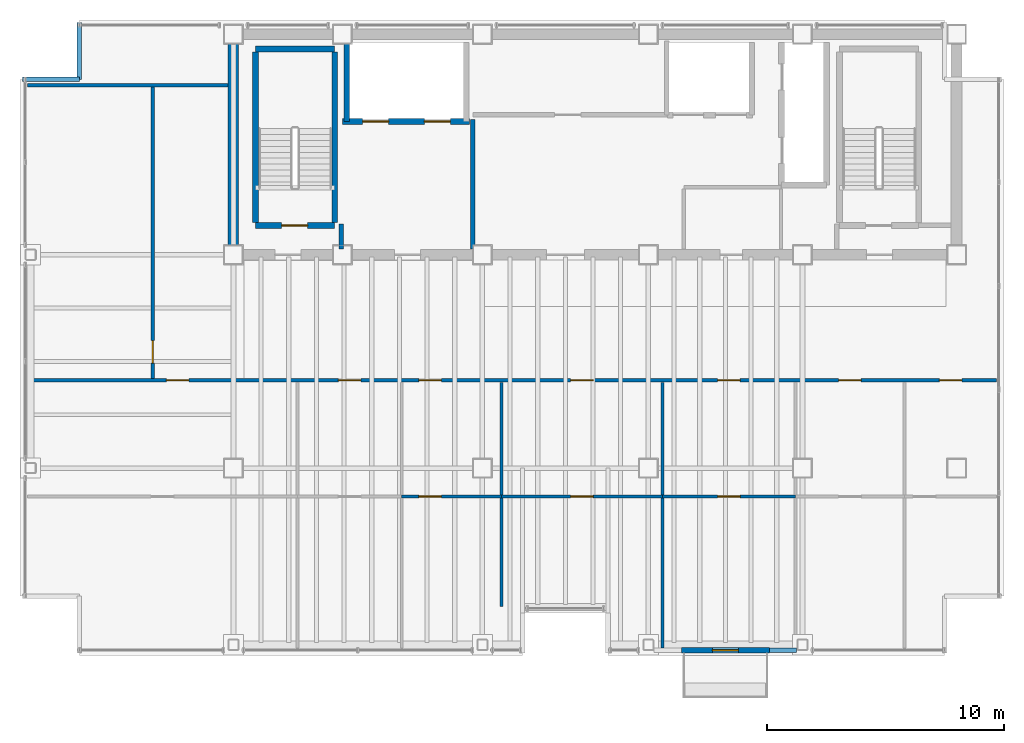
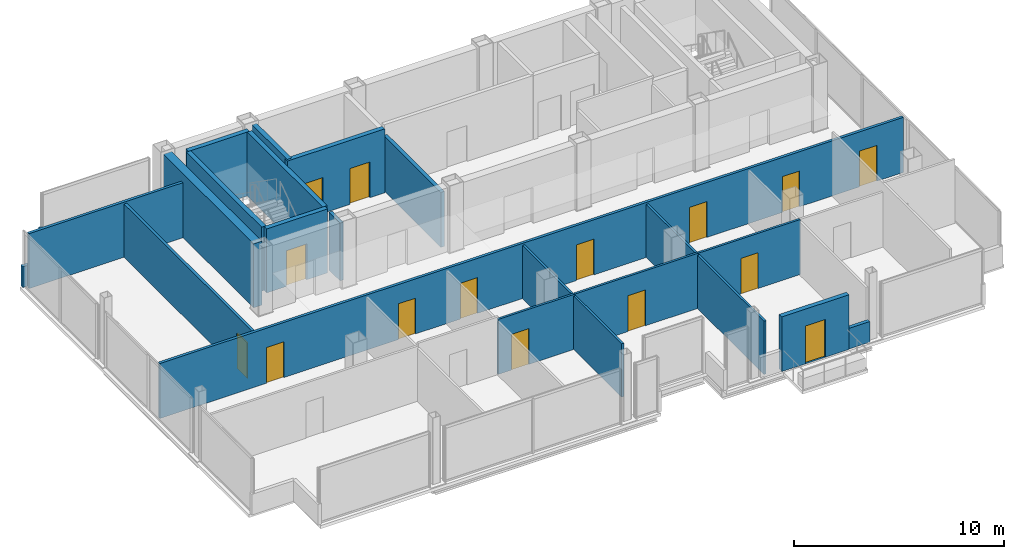
# One storey, part 14 of 17: 21 walls, 15 doors, 15 openings.
"""IFC4 building model written with IfcOpenShell, lengths in metres."""

from ifc_helpers import new_model, si_unit, direction, frame, frame_2d, origin, place, context, subcontext, project, spatial, rectangle, extrude, material, layer, layer_set, type_object, element, fill, save


model = new_model("IFC4")

# Units and contexts
model_context = context("Model", 3, precision=1e-05, world=origin(), true_north=direction((0.0, 1.0)))
body_context = subcontext(model_context, "Body", "Model", "MODEL_VIEW")
ifc_project = project(units=[si_unit("LENGTHUNIT", "METRE"), si_unit("AREAUNIT", "SQUARE_METRE"), si_unit("VOLUMEUNIT", "CUBIC_METRE"), si_unit("PLANEANGLEUNIT", "RADIAN"), si_unit("MASSUNIT", "GRAM", prefix="KILO")], contexts=[model_context])

# Site, building, storey
site_placement = place(None, origin())
site = spatial("IfcSite", under=ifc_project, at=site_placement, CompositionType="ELEMENT")
building_placement = place(site_placement, origin())
building = spatial("IfcBuilding", under=site, at=building_placement, Name="Noeulbin Bourse Tower", CompositionType="ELEMENT")
storey_placement = place(building_placement, frame((0.0, 0.0, 250.10009765625)))
storey = spatial("IfcBuildingStorey", under=building, at=storey_placement, Name="L62", CompositionType="ELEMENT", Elevation=250.10009765625)

# Wall
ifc_material_1 = material(Name="Concrete C50/60", Category="concrete")
ifc_layer_1 = layer(ifc_material_1, 0.449951171875)
ifc_layer_set_1 = layer_set([ifc_layer_1], Name="Concrete C50/60")
wall_type_1 = type_object("IfcWallType", Name="WAL-CORE-450", PredefinedType="SHEAR", material=ifc_layer_set_1)
wall_1_placement = place(storey_placement, frame((13.5, 29.35009765625, 0.0), z_axis=(0.0, 0.0, 1.0), x_axis=(0.0, 1.0, 0.0)))
element("IfcWall", 1, at=wall_1_placement, inside=storey, type_object=wall_type_1, Name="Rear Core West Shear Wall L62", PredefinedType="SHEAR", context=body_context, shape_type="SweptSolid", body=[
    extrude(rectangle(XDim=8.599853515625, YDim=0.449951171875, at=frame_2d((4.2998046875, 0.0))), origin(), (0.0, 0.0, 1.0), 3.719970703125),
])

# Wall, opening, door
ifc_material_2 = material(Name="Precast Concrete C40/50", Category="concrete")
ifc_layer_2 = layer(ifc_material_2, 0.25)
ifc_layer_set_2 = layer_set([ifc_layer_2], Name="Precast Concrete C40/50")
wall_type_2 = type_object("IfcWallType", Name="WAL-EXT-250", PredefinedType="STANDARD", material=ifc_layer_set_2)
wall_2_placement = place(storey_placement, frame((32.39990234375, 12.320068359375, 0.0), z_axis=(0.0, 0.0, 1.0), x_axis=(1.0, 0.0, 0.0)))
wall_2 = element("IfcWall", 2, at=wall_2_placement, inside=storey, type_object=wall_type_2, Name="Balcony Threshold Wall L62", PredefinedType="STANDARD", context=body_context, shape_type="SweptSolid", body=[
    extrude(rectangle(XDim=3.7001953125, YDim=0.25, at=frame_2d((1.85009765625, 0.0))), origin(), (0.0, 0.0, 1.0), 3.179931640625),
])
opening_1_placement = place(wall_2_placement, frame((1.300048828125, 0.0, 0.0)))
opening_1 = element("IfcOpeningElement", 3, at=opening_1_placement, cuts=wall_2, Name="Opening BD-11", PredefinedType="OPENING", context=body_context, shape_type="SweptSolid", body=[
    extrude(rectangle(XDim=1.10009765625, YDim=2.199951171875, at=frame_2d((0.550048828125, 1.10009765625))), frame((0.0, 0.135009765625, 0.0), z_axis=(0.0, -1.0, 0.0), x_axis=(1.0, 0.0, 0.0)), (0.0, 0.0, 1.0), 0.27001953125),
])
ifc_material_3 = material(Name="Thermally Broken Aluminium Framed Glass", Category="aluminium")
door_type_1 = type_object("IfcDoorType", Name="DR-BAL-1100", OperationType="SINGLE_SWING_LEFT", PredefinedType="DOOR", material=ifc_material_3)
door_1_placement = place(opening_1_placement, origin())
door_1 = element("IfcDoor", 4, at=door_1_placement, inside=storey, type_object=door_type_1, Name="Tree-Balcony Access Door BD-L62", OperationType="SINGLE_SWING_RIGHT", OverallHeight=2.199951171875, OverallWidth=1.10009765625, PredefinedType="DOOR", context=body_context, shape_type="SweptSolid", body=[
    extrude(rectangle(XDim=1.10009765625, YDim=2.199951171875, at=frame_2d((0.550048828125, 1.10009765625))), frame((0.0, 0.02490234375, 0.0), z_axis=(0.0, -1.0, 0.0), x_axis=(1.0, 0.0, 0.0)), (0.0, 0.0, 1.0), 0.050048828125),
])
fill(opening_1, door_1)

# Walls
ifc_material_4 = material(Name="Concrete C40/50", Category="concrete")
ifc_layer_3 = layer(ifc_material_4, 0.199951171875)
ifc_layer_set_3 = layer_set([ifc_layer_3], Name="Concrete C40/50")
wall_type_3 = type_object("IfcWallType", Name="WAL-FIRE-200", PredefinedType="STANDARD", material=ifc_layer_set_3)
wall_3_placement = place(storey_placement, frame((18.050048828125, 29.235107421875, 0.0), z_axis=(0.0, 0.0, 1.0), x_axis=(0.0, 1.0, 0.0)))
element("IfcWall", 5, at=wall_3_placement, inside=storey, type_object=wall_type_3, Name="Interior Partition Wall L62-13", PredefinedType="STANDARD", context=body_context, shape_type="SweptSolid", body=[
    extrude(rectangle(XDim=1.06494140625, YDim=0.199951171875, at=frame_2d((0.532470703125, 0.0))), origin(), (0.0, 0.0, 1.0), 3.349853515625),
])
wall_4_placement = place(storey_placement, frame((23.60009765625, 29.235107421875, 0.0), z_axis=(0.0, 0.0, 1.0), x_axis=(0.0, 1.0, 0.0)))
element("IfcWall", 6, at=wall_4_placement, inside=storey, type_object=wall_type_3, Name="Interior Partition Wall L62-15", PredefinedType="STANDARD", context=body_context, shape_type="SweptSolid", body=[
    extrude(rectangle(XDim=5.46484375, YDim=0.199951171875, at=frame_2d((2.732421875, 0.0))), origin(), (0.0, 0.0, 1.0), 3.199951171875),
])
ifc_layer_4 = layer(ifc_material_4, 0.199951171875)
ifc_layer_set_4 = layer_set([ifc_layer_4], Name="Concrete C40/50")
wall_type_4 = type_object("IfcWallType", Name="WAL-PAR-200", PredefinedType="PARAPET", material=ifc_layer_set_4)
wall_5_placement = place(storey_placement, frame((36.10009765625, 12.320068359375, 0.0), z_axis=(0.0, 0.0, 1.0), x_axis=(1.0, 0.0, 0.0)))
element("IfcWall", 7, at=wall_5_placement, inside=storey, type_object=wall_type_4, Name="Perimeter Pier Spandrel Parapet L62-S2", PredefinedType="PARAPET", context=body_context, shape_type="SweptSolid", body=[
    extrude(rectangle(XDim=1.15478515625, YDim=0.199951171875, at=frame_2d((0.577392578125, 0.0))), origin(), (0.0, 0.0, 1.0), 1.199951171875),
])
wall_6_placement = place(storey_placement, frame((4.60009765625, 36.39990234375, 0.0), z_axis=(0.0, 0.0, 1.0), x_axis=(1.0, 0.0, 0.0)))
element("IfcWall", 8, at=wall_6_placement, inside=storey, type_object=wall_type_4, Name="Corner Notch Parapet L62-NW1", PredefinedType="PARAPET", context=body_context, shape_type="SweptSolid", body=[
    extrude(rectangle(XDim=2.39990234375, YDim=0.199951171875, at=frame_2d((1.199951171875, 0.0))), origin(), (0.0, 0.0, 1.0), 1.199951171875),
])
wall_7_placement = place(storey_placement, frame((7.0, 36.39990234375, 0.0), z_axis=(0.0, 0.0, 1.0), x_axis=(0.0, 1.0, 0.0)))
element("IfcWall", 9, at=wall_7_placement, inside=storey, type_object=wall_type_4, Name="Corner Notch Parapet L62-NW2", PredefinedType="PARAPET", context=body_context, shape_type="SweptSolid", body=[
    extrude(rectangle(XDim=2.400146484375, YDim=0.199951171875, at=frame_2d((1.2001953125, 0.0))), origin(), (0.0, 0.0, 1.0), 1.199951171875),
])

# Wall, opening, door
ifc_material_5 = material(Name="Steel Stud Gypsum Partition", Category="steel")
ifc_layer_5 = layer(ifc_material_5, 0.1201171875)
ifc_layer_set_5 = layer_set([ifc_layer_5], Name="Steel Stud Gypsum Partition")
wall_type_5 = type_object("IfcWallType", Name="WAL-PRT-120", PredefinedType="PARTITIONING", material=ifc_layer_set_5)
wall_8_placement = place(storey_placement, frame((20.60009765625, 18.800048828125, 0.0), z_axis=(0.0, 0.0, 1.0), x_axis=(1.0, 0.0, 0.0)))
wall_8 = element("IfcWall", 10, at=wall_8_placement, inside=storey, type_object=wall_type_5, Name="Interior Partition Wall L62-08", PredefinedType="PARTITIONING", context=body_context, shape_type="SweptSolid", body=[
    extrude(rectangle(XDim=4.199951171875, YDim=0.1201171875, at=frame_2d((2.10009765625, 0.0))), origin(), (0.0, 0.0, 1.0), 3.199951171875),
])
opening_2_placement = place(wall_8_placement, frame((0.72509765625, 0.0, 0.0)))
opening_2 = element("IfcOpeningElement", 11, at=opening_2_placement, cuts=wall_8, Name="Opening ID-09", PredefinedType="OPENING", context=body_context, shape_type="SweptSolid", body=[
    extrude(rectangle(XDim=0.949951171875, YDim=2.080078125, at=frame_2d((0.47509765625, 1.0400390625))), frame((0.0, 0.070068359375, 0.0), z_axis=(0.0, -1.0, 0.0), x_axis=(1.0, 0.0, 0.0)), (0.0, 0.0, 1.0), 0.14013671875),
])
ifc_material_6 = material(Name="Acoustic Solid-Core Timber", Category="wood")
door_type_2 = type_object("IfcDoorType", Name="DR-SINGLE-950", OperationType="SINGLE_SWING_LEFT", PredefinedType="DOOR", material=ifc_material_6)
door_2_placement = place(opening_2_placement, origin())
door_2 = element("IfcDoor", 12, at=door_2_placement, inside=storey, type_object=door_type_2, Name="Interior Door L62-11", OperationType="SINGLE_SWING_LEFT", OverallHeight=2.080078125, OverallWidth=0.949951171875, PredefinedType="DOOR", context=body_context, shape_type="SweptSolid", body=[
    extrude(rectangle(XDim=0.949951171875, YDim=2.080078125, at=frame_2d((0.47509765625, 1.0400390625))), frame((0.0, 0.02490234375, 0.0), z_axis=(0.0, -1.0, 0.0), x_axis=(1.0, 0.0, 0.0)), (0.0, 0.0, 1.0), 0.050048828125),
])
fill(opening_2, door_2)

wall_9_placement = place(storey_placement, frame((24.800048828125, 18.800048828125, 0.0), z_axis=(0.0, 0.0, 1.0), x_axis=(1.0, 0.0, 0.0)))
wall_9 = element("IfcWall", 13, at=wall_9_placement, inside=storey, type_object=wall_type_5, Name="Interior Partition Wall L62-09", PredefinedType="PARTITIONING", context=body_context, shape_type="SweptSolid", body=[
    extrude(rectangle(XDim=6.800048828125, YDim=0.1201171875, at=frame_2d((3.39990234375, 0.0))), origin(), (0.0, 0.0, 1.0), 3.199951171875),
])
opening_3_placement = place(wall_9_placement, frame((2.925048828125, 0.0, 0.0)))
opening_3 = element("IfcOpeningElement", 14, at=opening_3_placement, cuts=wall_9, Name="Opening ID-09", PredefinedType="OPENING", context=body_context, shape_type="SweptSolid", body=[
    extrude(rectangle(XDim=0.949951171875, YDim=2.080078125, at=frame_2d((0.47509765625, 1.0400390625))), frame((0.0, 0.070068359375, 0.0), z_axis=(0.0, -1.0, 0.0), x_axis=(1.0, 0.0, 0.0)), (0.0, 0.0, 1.0), 0.14013671875),
])
door_3_placement = place(opening_3_placement, origin())
door_3 = element("IfcDoor", 15, at=door_3_placement, inside=storey, type_object=door_type_2, Name="Interior Door L62-13", OperationType="SINGLE_SWING_LEFT", OverallHeight=2.080078125, OverallWidth=0.949951171875, PredefinedType="DOOR", context=body_context, shape_type="SweptSolid", body=[
    extrude(rectangle(XDim=0.949951171875, YDim=2.080078125, at=frame_2d((0.47509765625, 1.0400390625))), frame((0.0, 0.02490234375, 0.0), z_axis=(0.0, -1.0, 0.0), x_axis=(1.0, 0.0, 0.0)), (0.0, 0.0, 1.0), 0.050048828125),
])
fill(opening_3, door_3)

wall_10_placement = place(storey_placement, frame((31.60009765625, 18.800048828125, 0.0), z_axis=(0.0, 0.0, 1.0), x_axis=(1.0, 0.0, 0.0)))
wall_10 = element("IfcWall", 16, at=wall_10_placement, inside=storey, type_object=wall_type_5, Name="Interior Partition Wall L62-10", PredefinedType="PARTITIONING", context=body_context, shape_type="SweptSolid", body=[
    extrude(rectangle(XDim=5.599853515625, YDim=0.1201171875, at=frame_2d((2.7998046875, 0.0))), origin(), (0.0, 0.0, 1.0), 3.199951171875),
])
opening_4_placement = place(wall_10_placement, frame((2.324951171875, 0.0, 0.0)))
opening_4 = element("IfcOpeningElement", 17, at=opening_4_placement, cuts=wall_10, Name="Opening ID-09", PredefinedType="OPENING", context=body_context, shape_type="SweptSolid", body=[
    extrude(rectangle(XDim=0.949951171875, YDim=2.080078125, at=frame_2d((0.47509765625, 1.0400390625))), frame((0.0, 0.070068359375, 0.0), z_axis=(0.0, -1.0, 0.0), x_axis=(1.0, 0.0, 0.0)), (0.0, 0.0, 1.0), 0.14013671875),
])
door_4_placement = place(opening_4_placement, origin())
door_4 = element("IfcDoor", 18, at=door_4_placement, inside=storey, type_object=door_type_2, Name="Interior Door L62-15", OperationType="SINGLE_SWING_LEFT", OverallHeight=2.080078125, OverallWidth=0.949951171875, PredefinedType="DOOR", context=body_context, shape_type="SweptSolid", body=[
    extrude(rectangle(XDim=0.949951171875, YDim=2.080078125, at=frame_2d((0.47509765625, 1.0400390625))), frame((0.0, 0.02490234375, 0.0), z_axis=(0.0, -1.0, 0.0), x_axis=(1.0, 0.0, 0.0)), (0.0, 0.0, 1.0), 0.050048828125),
])
fill(opening_4, door_4)

# Walls
wall_11_placement = place(storey_placement, frame((24.800048828125, 14.169921875, 0.0), z_axis=(0.0, 0.0, 1.0), x_axis=(0.0, 1.0, 0.0)))
element("IfcWall", 19, at=wall_11_placement, inside=storey, type_object=wall_type_5, Name="Interior Partition Wall L62-21", PredefinedType="PARTITIONING", context=body_context, shape_type="SweptSolid", body=[
    extrude(rectangle(XDim=9.445068359375, YDim=0.1201171875, at=frame_2d((4.72265625, 0.0))), origin(), (0.0, 0.0, 1.0), 3.099853515625),
])
wall_12_placement = place(storey_placement, frame((31.60009765625, 12.409912109375, 0.0), z_axis=(0.0, 0.0, 1.0), x_axis=(0.0, 1.0, 0.0)))
element("IfcWall", 20, at=wall_12_placement, inside=storey, type_object=wall_type_5, Name="Interior Partition Wall L62-22", PredefinedType="PARTITIONING", context=body_context, shape_type="SweptSolid", body=[
    extrude(rectangle(XDim=11.205078125, YDim=0.1201171875, at=frame_2d((5.6025390625, 0.0))), origin(), (0.0, 0.0, 1.0), 3.099853515625),
])

# Wall, openings, doors
ifc_material_7 = material(Name="Steel Stud Acoustic Gypsum Board", Category="steel")
ifc_layer_6 = layer(ifc_material_7, 0.14990234375)
ifc_layer_set_6 = layer_set([ifc_layer_6], Name="Steel Stud Acoustic Gypsum Board")
wall_type_6 = type_object("IfcWallType", Name="WAL-PRT-150", PredefinedType="PARTITIONING", material=ifc_layer_set_6)
wall_13_placement = place(storey_placement, frame((4.81005859375, 23.699951171875, 0.0), z_axis=(0.0, 0.0, 1.0), x_axis=(1.0, 0.0, 0.0)))
wall_13 = element("IfcWall", 21, at=wall_13_placement, inside=storey, type_object=wall_type_6, Name="Interior Partition Wall L62-04", PredefinedType="PARTITIONING", context=body_context, shape_type="SweptSolid", body=[
    extrude(rectangle(XDim=40.8798828125, YDim=0.14990234375, at=frame_2d((20.43994140625, 0.0))), origin(), (0.0, 0.0, 1.0), 3.199951171875),
])
opening_5_placement = place(wall_13_placement, frame((5.864990234375, 0.0, 0.0)))
opening_5 = element("IfcOpeningElement", 22, at=opening_5_placement, cuts=wall_13, Name="Opening ID-09", PredefinedType="OPENING", context=body_context, shape_type="SweptSolid", body=[
    extrude(rectangle(XDim=0.949951171875, YDim=2.080078125, at=frame_2d((0.47509765625, 1.0400390625))), frame((0.0, 0.0849609375, 0.0), z_axis=(0.0, -1.0, 0.0), x_axis=(1.0, 0.0, 0.0)), (0.0, 0.0, 1.0), 0.169921875),
])
opening_6_placement = place(wall_13_placement, frame((13.114990234375, 0.0, 0.0)))
opening_6 = element("IfcOpeningElement", 23, at=opening_6_placement, cuts=wall_13, Name="Opening ID-09", PredefinedType="OPENING", context=body_context, shape_type="SweptSolid", body=[
    extrude(rectangle(XDim=0.949951171875, YDim=2.080078125, at=frame_2d((0.47509765625, 1.0400390625))), frame((0.0, 0.0849609375, 0.0), z_axis=(0.0, -1.0, 0.0), x_axis=(1.0, 0.0, 0.0)), (0.0, 0.0, 1.0), 0.169921875),
])
opening_7_placement = place(wall_13_placement, frame((16.514892578125, 0.0, 0.0)))
opening_7 = element("IfcOpeningElement", 24, at=opening_7_placement, cuts=wall_13, Name="Opening ID-09", PredefinedType="OPENING", context=body_context, shape_type="SweptSolid", body=[
    extrude(rectangle(XDim=0.949951171875, YDim=2.080078125, at=frame_2d((0.47509765625, 1.0400390625))), frame((0.0, 0.0849609375, 0.0), z_axis=(0.0, -1.0, 0.0), x_axis=(1.0, 0.0, 0.0)), (0.0, 0.0, 1.0), 0.169921875),
])
opening_8_placement = place(wall_13_placement, frame((22.9150390625, 0.0, 0.0)))
opening_8 = element("IfcOpeningElement", 25, at=opening_8_placement, cuts=wall_13, Name="Opening ID-09", PredefinedType="OPENING", context=body_context, shape_type="SweptSolid", body=[
    extrude(rectangle(XDim=0.949951171875, YDim=2.080078125, at=frame_2d((0.47509765625, 1.0400390625))), frame((0.0, 0.0849609375, 0.0), z_axis=(0.0, -1.0, 0.0), x_axis=(1.0, 0.0, 0.0)), (0.0, 0.0, 1.0), 0.169921875),
])
opening_9_placement = place(wall_13_placement, frame((29.114990234375, 0.0, 0.0)))
opening_9 = element("IfcOpeningElement", 26, at=opening_9_placement, cuts=wall_13, Name="Opening ID-09", PredefinedType="OPENING", context=body_context, shape_type="SweptSolid", body=[
    extrude(rectangle(XDim=0.949951171875, YDim=2.080078125, at=frame_2d((0.47509765625, 1.0400390625))), frame((0.0, 0.0849609375, 0.0), z_axis=(0.0, -1.0, 0.0), x_axis=(1.0, 0.0, 0.0)), (0.0, 0.0, 1.0), 0.169921875),
])
opening_10_placement = place(wall_13_placement, frame((34.215087890625, 0.0, 0.0)))
opening_10 = element("IfcOpeningElement", 27, at=opening_10_placement, cuts=wall_13, Name="Opening ID-09", PredefinedType="OPENING", context=body_context, shape_type="SweptSolid", body=[
    extrude(rectangle(XDim=0.949951171875, YDim=2.080078125, at=frame_2d((0.47509765625, 1.0400390625))), frame((0.0, 0.0849609375, 0.0), z_axis=(0.0, -1.0, 0.0), x_axis=(1.0, 0.0, 0.0)), (0.0, 0.0, 1.0), 0.169921875),
])
opening_11_placement = place(wall_13_placement, frame((38.4599609375, 0.0, 0.0)))
opening_11 = element("IfcOpeningElement", 28, at=opening_11_placement, cuts=wall_13, Name="Opening ID-09", PredefinedType="OPENING", context=body_context, shape_type="SweptSolid", body=[
    extrude(rectangle(XDim=0.949951171875, YDim=2.080078125, at=frame_2d((0.47509765625, 1.0400390625))), frame((0.0, 0.0849609375, 0.0), z_axis=(0.0, -1.0, 0.0), x_axis=(1.0, 0.0, 0.0)), (0.0, 0.0, 1.0), 0.169921875),
])
door_5_placement = place(opening_5_placement, origin())
door_5 = element("IfcDoor", 29, at=door_5_placement, inside=storey, type_object=door_type_2, Name="Interior Door L62-08", OperationType="SINGLE_SWING_RIGHT", OverallHeight=2.080078125, OverallWidth=0.949951171875, PredefinedType="DOOR", context=body_context, shape_type="SweptSolid", body=[
    extrude(rectangle(XDim=0.949951171875, YDim=2.080078125, at=frame_2d((0.47509765625, 1.0400390625))), frame((0.0, 0.02490234375, 0.0), z_axis=(0.0, -1.0, 0.0), x_axis=(1.0, 0.0, 0.0)), (0.0, 0.0, 1.0), 0.050048828125),
])
fill(opening_5, door_5)
door_6_placement = place(opening_6_placement, origin())
door_6 = element("IfcDoor", 30, at=door_6_placement, inside=storey, type_object=door_type_2, Name="Interior Door L62-10", OperationType="SINGLE_SWING_RIGHT", OverallHeight=2.080078125, OverallWidth=0.949951171875, PredefinedType="DOOR", context=body_context, shape_type="SweptSolid", body=[
    extrude(rectangle(XDim=0.949951171875, YDim=2.080078125, at=frame_2d((0.47509765625, 1.0400390625))), frame((0.0, 0.02490234375, 0.0), z_axis=(0.0, -1.0, 0.0), x_axis=(1.0, 0.0, 0.0)), (0.0, 0.0, 1.0), 0.050048828125),
])
fill(opening_6, door_6)
door_7_placement = place(opening_7_placement, origin())
door_7 = element("IfcDoor", 31, at=door_7_placement, inside=storey, type_object=door_type_2, Name="Interior Door L62-12", OperationType="SINGLE_SWING_RIGHT", OverallHeight=2.080078125, OverallWidth=0.949951171875, PredefinedType="DOOR", context=body_context, shape_type="SweptSolid", body=[
    extrude(rectangle(XDim=0.949951171875, YDim=2.080078125, at=frame_2d((0.47509765625, 1.0400390625))), frame((0.0, 0.02490234375, 0.0), z_axis=(0.0, -1.0, 0.0), x_axis=(1.0, 0.0, 0.0)), (0.0, 0.0, 1.0), 0.050048828125),
])
fill(opening_7, door_7)
door_8_placement = place(opening_8_placement, origin())
door_8 = element("IfcDoor", 32, at=door_8_placement, inside=storey, type_object=door_type_2, Name="Interior Door L62-14", OperationType="SINGLE_SWING_RIGHT", OverallHeight=2.080078125, OverallWidth=0.949951171875, PredefinedType="DOOR", context=body_context, shape_type="SweptSolid", body=[
    extrude(rectangle(XDim=0.949951171875, YDim=2.080078125, at=frame_2d((0.47509765625, 1.0400390625))), frame((0.0, 0.02490234375, 0.0), z_axis=(0.0, -1.0, 0.0), x_axis=(1.0, 0.0, 0.0)), (0.0, 0.0, 1.0), 0.050048828125),
])
fill(opening_8, door_8)
door_9_placement = place(opening_9_placement, origin())
door_9 = element("IfcDoor", 33, at=door_9_placement, inside=storey, type_object=door_type_2, Name="Interior Door L62-16", OperationType="SINGLE_SWING_RIGHT", OverallHeight=2.080078125, OverallWidth=0.949951171875, PredefinedType="DOOR", context=body_context, shape_type="SweptSolid", body=[
    extrude(rectangle(XDim=0.949951171875, YDim=2.080078125, at=frame_2d((0.47509765625, 1.0400390625))), frame((0.0, 0.02490234375, 0.0), z_axis=(0.0, -1.0, 0.0), x_axis=(1.0, 0.0, 0.0)), (0.0, 0.0, 1.0), 0.050048828125),
])
fill(opening_9, door_9)
door_10_placement = place(opening_10_placement, origin())
door_10 = element("IfcDoor", 34, at=door_10_placement, inside=storey, type_object=door_type_2, Name="Interior Door L62-18", OperationType="SINGLE_SWING_RIGHT", OverallHeight=2.080078125, OverallWidth=0.949951171875, PredefinedType="DOOR", context=body_context, shape_type="SweptSolid", body=[
    extrude(rectangle(XDim=0.949951171875, YDim=2.080078125, at=frame_2d((0.47509765625, 1.0400390625))), frame((0.0, 0.02490234375, 0.0), z_axis=(0.0, -1.0, 0.0), x_axis=(1.0, 0.0, 0.0)), (0.0, 0.0, 1.0), 0.050048828125),
])
fill(opening_10, door_10)
door_11_placement = place(opening_11_placement, origin())
door_11 = element("IfcDoor", 35, at=door_11_placement, inside=storey, type_object=door_type_2, Name="Interior Door L62-20", OperationType="SINGLE_SWING_RIGHT", OverallHeight=2.080078125, OverallWidth=0.949951171875, PredefinedType="DOOR", context=body_context, shape_type="SweptSolid", body=[
    extrude(rectangle(XDim=0.949951171875, YDim=2.080078125, at=frame_2d((0.47509765625, 1.0400390625))), frame((0.0, 0.02490234375, 0.0), z_axis=(0.0, -1.0, 0.0), x_axis=(1.0, 0.0, 0.0)), (0.0, 0.0, 1.0), 0.050048828125),
])
fill(opening_11, door_11)

# Wall
wall_14_placement = place(storey_placement, frame((4.81005859375, 36.14990234375, 0.0), z_axis=(0.0, 0.0, 1.0), x_axis=(1.0, 0.0, 0.0)))
element("IfcWall", 36, at=wall_14_placement, inside=storey, type_object=wall_type_6, Name="Interior Partition Wall L62-05", PredefinedType="PARTITIONING", context=body_context, shape_type="SweptSolid", body=[
    extrude(rectangle(XDim=8.454833984375, YDim=0.14990234375, at=frame_2d((4.2275390625, 0.0))), origin(), (0.0, 0.0, 1.0), 3.199951171875),
])

# Wall, opening, door
wall_15_placement = place(storey_placement, frame((10.10009765625, 23.784912109375, 0.0), z_axis=(0.0, 0.0, 1.0), x_axis=(0.0, 1.0, 0.0)))
wall_15 = element("IfcWall", 37, at=wall_15_placement, inside=storey, type_object=wall_type_6, Name="Interior Partition Wall L62-18", PredefinedType="PARTITIONING", context=body_context, shape_type="SweptSolid", body=[
    extrude(rectangle(XDim=12.280029296875, YDim=0.14990234375, at=frame_2d((6.14013671875, 0.0))), origin(), (0.0, 0.0, 1.0), 3.099853515625),
])
opening_12_placement = place(wall_15_placement, frame((0.639892578125, 0.0, 0.0)))
opening_12 = element("IfcOpeningElement", 38, at=opening_12_placement, cuts=wall_15, Name="Opening ID-09", PredefinedType="OPENING", context=body_context, shape_type="SweptSolid", body=[
    extrude(rectangle(XDim=0.949951171875, YDim=2.080078125, at=frame_2d((0.47509765625, 1.0400390625))), frame((0.0, 0.0849609375, 0.0), z_axis=(0.0, -1.0, 0.0), x_axis=(1.0, 0.0, 0.0)), (0.0, 0.0, 1.0), 0.169921875),
])
door_12_placement = place(opening_12_placement, origin())
door_12 = element("IfcDoor", 39, at=door_12_placement, inside=storey, type_object=door_type_2, Name="Interior Door L62-21", OperationType="SINGLE_SWING_LEFT", OverallHeight=2.080078125, OverallWidth=0.949951171875, PredefinedType="DOOR", context=body_context, shape_type="SweptSolid", body=[
    extrude(rectangle(XDim=0.949951171875, YDim=2.080078125, at=frame_2d((0.47509765625, 1.0400390625))), frame((0.0, 0.02490234375, 0.0), z_axis=(0.0, -1.0, 0.0), x_axis=(1.0, 0.0, 0.0)), (0.0, 0.0, 1.0), 0.050048828125),
])
fill(opening_12, door_12)

ifc_layer_7 = layer(ifc_material_4, 0.25)
ifc_layer_set_7 = layer_set([ifc_layer_7], Name="Concrete C40/50")
wall_type_7 = type_object("IfcWallType", Name="WAL-SHFT-250", PredefinedType="STANDARD", material=ifc_layer_set_7)
wall_16_placement = place(storey_placement, frame((14.429931640625, 30.235107421875, 0.0), z_axis=(0.0, 0.0, 1.0), x_axis=(1.0, 0.0, 0.0)))
wall_16 = element("IfcWall", 40, at=wall_16_placement, inside=storey, type_object=wall_type_7, Name="Stair ST-1 South Shaft Wall L62", PredefinedType="STANDARD", context=body_context, shape_type="SweptSolid", body=[
    extrude(rectangle(XDim=3.340087890625, YDim=0.25, at=frame_2d((1.669921875, 0.0))), origin(), (0.0, 0.0, 1.0), 3.719970703125),
])
opening_13_placement = place(wall_16_placement, frame((1.10009765625, 0.0, 0.0)))
opening_13 = element("IfcOpeningElement", 41, at=opening_13_placement, cuts=wall_16, Name="Opening FD-11", PredefinedType="OPENING", context=body_context, shape_type="SweptSolid", body=[
    extrude(rectangle(XDim=1.10009765625, YDim=2.080078125, at=frame_2d((0.550048828125, 1.0400390625))), frame((0.0, 0.135009765625, 0.0), z_axis=(0.0, -1.0, 0.0), x_axis=(1.0, 0.0, 0.0)), (0.0, 0.0, 1.0), 0.27001953125),
])
ifc_material_8 = material(Name="Fire-Rated Insulated Steel", Category="steel")
door_type_3 = type_object("IfcDoorType", Name="DR-FD60-1100", OperationType="SINGLE_SWING_LEFT", PredefinedType="DOOR", material=ifc_material_8)
door_13_placement = place(opening_13_placement, origin())
door_13 = element("IfcDoor", 42, at=door_13_placement, inside=storey, type_object=door_type_3, Name="Protected Stair Entry Door ST1-L62", OperationType="SINGLE_SWING_LEFT", OverallHeight=2.080078125, OverallWidth=1.10009765625, PredefinedType="DOOR", context=body_context, shape_type="SweptSolid", body=[
    extrude(rectangle(XDim=1.10009765625, YDim=2.080078125, at=frame_2d((0.550048828125, 1.0400390625))), frame((0.0, 0.02490234375, 0.0), z_axis=(0.0, -1.0, 0.0), x_axis=(1.0, 0.0, 0.0)), (0.0, 0.0, 1.0), 0.050048828125),
])
fill(opening_13, door_13)

# Walls
wall_17_placement = place(storey_placement, frame((14.429931640625, 37.6689453125, 0.0), z_axis=(0.0, 0.0, 1.0), x_axis=(1.0, 0.0, 0.0)))
element("IfcWall", 43, at=wall_17_placement, inside=storey, type_object=wall_type_7, Name="Stair ST-1 North Shaft Wall L62", PredefinedType="STANDARD", context=body_context, shape_type="SweptSolid", body=[
    extrude(rectangle(XDim=3.340087890625, YDim=0.25, at=frame_2d((1.669921875, 0.0))), origin(), (0.0, 0.0, 1.0), 3.719970703125),
])
for number, where, z_axis, x_axis, name in (
    (44, (14.425048828125, 30.360107421875, 0.0), (0.0, 0.0, 1.0), (0.0, 1.0, 0.0), "Stair ST-1 West Shaft Wall L62"),
    (45, (17.77490234375, 30.360107421875, 0.0), (0.0, 0.0, 1.0), (0.0, 1.0, 0.0), "Stair ST-1 East Shaft Wall L62"),
):
    element("IfcWall", number, at=place(storey_placement, frame(where, z_axis=z_axis, x_axis=x_axis)), inside=storey, type_object=wall_type_7, Name=name, PredefinedType="STANDARD", context=body_context, shape_type="SweptSolid", body=[
        extrude(rectangle(XDim=7.183837890625, YDim=0.25, at=frame_2d((3.591796875, 0.0))), origin(), (0.0, 0.0, 1.0), 3.719970703125),
    ])

# Wall, openings, doors
wall_18_placement = place(storey_placement, frame((18.10009765625, 34.6201171875, 0.0), z_axis=(0.0, 0.0, 1.0), x_axis=(1.0, 0.0, 0.0)))
wall_18 = element("IfcWall", 46, at=wall_18_placement, inside=storey, type_object=wall_type_7, Name="Firefighting Lift Shaft Front L62", PredefinedType="STANDARD", context=body_context, shape_type="SweptSolid", body=[
    extrude(rectangle(XDim=5.349853515625, YDim=0.25, at=frame_2d((2.6748046875, 0.0))), origin(), (0.0, 0.0, 1.0), 3.719970703125),
])
opening_14_placement = place(wall_18_placement, frame((0.85009765625, 0.0, 0.0)))
opening_14 = element("IfcOpeningElement", 47, at=opening_14_placement, cuts=wall_18, Name="Opening LD-11", PredefinedType="OPENING", context=body_context, shape_type="SweptSolid", body=[
    extrude(rectangle(XDim=1.10009765625, YDim=2.080078125, at=frame_2d((0.550048828125, 1.0400390625))), frame((0.0, 0.135009765625, 0.0), z_axis=(0.0, -1.0, 0.0), x_axis=(1.0, 0.0, 0.0)), (0.0, 0.0, 1.0), 0.27001953125),
])
opening_15_placement = place(wall_18_placement, frame((3.449951171875, 0.0, 0.0)))
opening_15 = element("IfcOpeningElement", 48, at=opening_15_placement, cuts=wall_18, Name="Opening LD-11", PredefinedType="OPENING", context=body_context, shape_type="SweptSolid", body=[
    extrude(rectangle(XDim=1.10009765625, YDim=2.080078125, at=frame_2d((0.550048828125, 1.0400390625))), frame((0.0, 0.135009765625, 0.0), z_axis=(0.0, -1.0, 0.0), x_axis=(1.0, 0.0, 0.0)), (0.0, 0.0, 1.0), 0.27001953125),
])
ifc_material_9 = material(Name="Brushed Stainless Steel 316", Category="steel")
door_type_4 = type_object("IfcDoorType", Name="DR-LIFT-1100", OperationType="SLIDING_TO_LEFT", PredefinedType="DOOR", material=ifc_material_9)
door_14_placement = place(opening_14_placement, origin())
door_14 = element("IfcDoor", 49, at=door_14_placement, inside=storey, type_object=door_type_4, Name="Lift Landing Door LD-FL-01-L62", OperationType="SLIDING_TO_LEFT", OverallHeight=2.080078125, OverallWidth=1.10009765625, PredefinedType="DOOR", context=body_context, shape_type="SweptSolid", body=[
    extrude(rectangle(XDim=1.10009765625, YDim=2.080078125, at=frame_2d((0.550048828125, 1.0400390625))), frame((0.0, 0.02490234375, 0.0), z_axis=(0.0, -1.0, 0.0), x_axis=(1.0, 0.0, 0.0)), (0.0, 0.0, 1.0), 0.050048828125),
])
fill(opening_14, door_14)
door_15_placement = place(opening_15_placement, origin())
door_15 = element("IfcDoor", 50, at=door_15_placement, inside=storey, type_object=door_type_4, Name="Lift Landing Door LD-FL-02-L62", OperationType="SLIDING_TO_LEFT", OverallHeight=2.080078125, OverallWidth=1.10009765625, PredefinedType="DOOR", context=body_context, shape_type="SweptSolid", body=[
    extrude(rectangle(XDim=1.10009765625, YDim=2.080078125, at=frame_2d((0.550048828125, 1.0400390625))), frame((0.0, 0.02490234375, 0.0), z_axis=(0.0, -1.0, 0.0), x_axis=(1.0, 0.0, 0.0)), (0.0, 0.0, 1.0), 0.050048828125),
])
fill(opening_15, door_15)

# Wall
wall_19_placement = place(storey_placement, frame((18.280029296875, 34.6201171875, 0.0), z_axis=(0.0, 0.0, 1.0), x_axis=(0.0, 1.0, 0.0)))
element("IfcWall", 51, at=wall_19_placement, inside=storey, type_object=wall_type_7, Name="Firefighting Lift West Shaft Wall L62", PredefinedType="STANDARD", context=body_context, shape_type="SweptSolid", body=[
    extrude(rectangle(XDim=3.329833984375, YDim=0.25, at=frame_2d((1.6650390625, 0.0))), origin(), (0.0, 0.0, 1.0), 3.719970703125),
])

save(model, "model.ifc")
